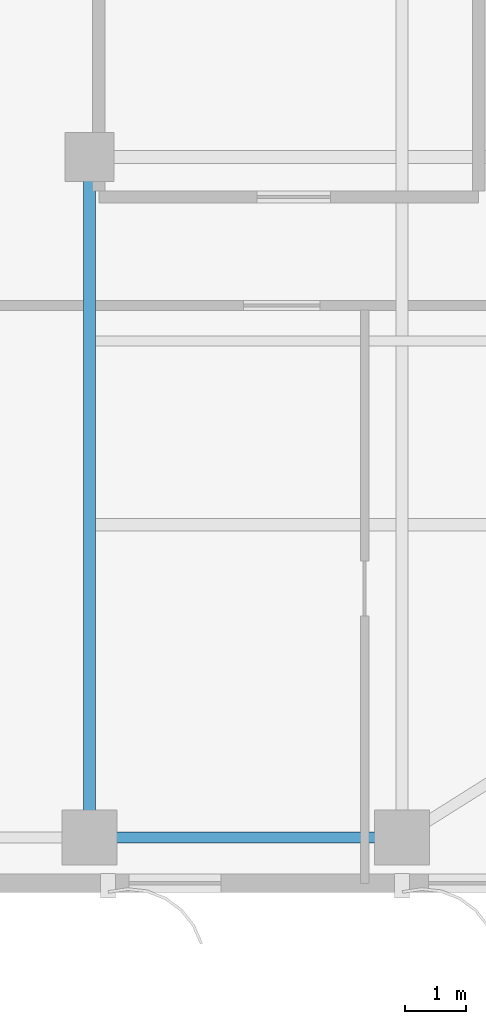
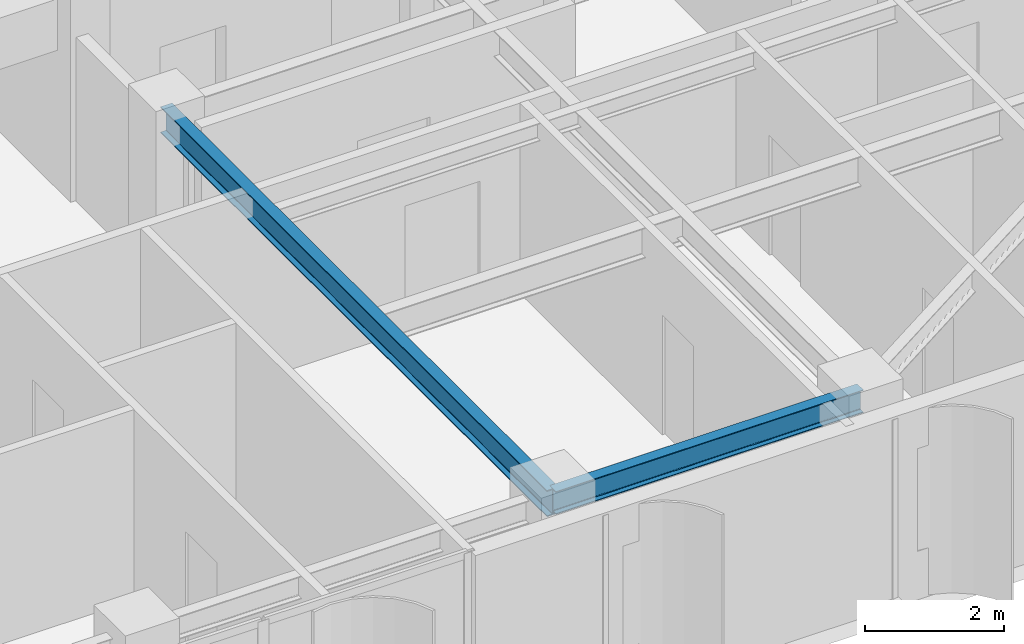
# One storey, part 3 of 22: 2 beams.
"""IFC4 building model written with IfcOpenShell, lengths in metres."""

from ifc_helpers import new_model, si_unit, direction, frame, origin, origin_2d, place, context, subcontext, project, spatial, i_section, extrude, source, transform, mapped, material, material_profile, profile_set, type_object, element, save


model = new_model("IFC4")

# Units and contexts
model_context = context("Model", 3, precision=1e-05, world=origin(), true_north=direction((0.0, 1.0)))
body_context = subcontext(model_context, "Body", "Model", "MODEL_VIEW")
ifc_project = project(units=[si_unit("LENGTHUNIT", "METRE"), si_unit("AREAUNIT", "SQUARE_METRE"), si_unit("VOLUMEUNIT", "CUBIC_METRE"), si_unit("PLANEANGLEUNIT", "RADIAN"), si_unit("MASSUNIT", "GRAM", prefix="KILO")], contexts=[model_context])

# Site, building, storey
site_placement = place(None, origin())
site = spatial("IfcSite", under=ifc_project, at=site_placement, CompositionType="ELEMENT")
building_placement = place(site_placement, origin())
building = spatial("IfcBuilding", under=site, at=building_placement, Name="Khoralis Quay Care Tower", CompositionType="ELEMENT")
storey_placement = place(building_placement, frame((0.0, 0.0, 180.89990234375)))
storey = spatial("IfcBuildingStorey", under=building, at=storey_placement, Name="L47", CompositionType="ELEMENT", Elevation=180.89990234375)

# Beams
ifc_material = material(Name="Steel S355", Category="steel")
ifc_material_profile_1 = material_profile(ifc_material, i_section(OverallWidth=0.179931640625, OverallDepth=0.39990234375, WebThickness=0.008544921875, FlangeThickness=0.013427734375, FilletRadius=0.02099609375, at=origin_2d()), Name="Steel S355")
ifc_profile_set_1 = profile_set([ifc_material_profile_1], Name="Steel S355")
beam_type_1 = type_object("IfcBeamType", Name="BM-IPE400", PredefinedType="SPANDREL", material=ifc_profile_set_1)
shared_shape_1 = source(origin(), body_context, "Body", "SweptSolid", [
    extrude(i_section(OverallWidth=0.179931640625, OverallDepth=0.39990234375, WebThickness=0.008544921875, FlangeThickness=0.013427734375, FilletRadius=0.02099609375, at=origin_2d()), origin(), (0.0, 0.0, 1.0), 5.10009765625),
])
beam_1_placement = place(storey_placement, frame((30.89990234375, 0.89990234375, 3.14013671875), z_axis=(1.0, 0.0, 0.0), x_axis=(0.0, 1.0, 0.0)))
element("IfcBeam", 1, at=beam_1_placement, inside=storey, type_object=beam_type_1, Name="BM-TSP-L47-04", PredefinedType="SPANDREL", context=body_context, shape_type="MappedRepresentation", body=[
    mapped(shared_shape_1, transform((0.0, 0.0, 0.0), scale=1.0)),
])
ifc_material_profile_2 = material_profile(ifc_material, i_section(OverallWidth=0.19189453125, OverallDepth=0.462890625, WebThickness=0.010498046875, FlangeThickness=0.017578125, FilletRadius=0.014892578125, at=origin_2d()), Name="Steel S355")
ifc_profile_set_2 = profile_set([ifc_material_profile_2], Name="Steel S355")
beam_type_2 = type_object("IfcBeamType", Name="BM-W460X89", PredefinedType="BEAM", material=ifc_profile_set_2)
shared_shape_2 = source(origin(), body_context, "Body", "SweptSolid", [
    extrude(i_section(OverallWidth=0.19189453125, OverallDepth=0.462890625, WebThickness=0.010498046875, FlangeThickness=0.017578125, FilletRadius=0.014892578125, at=origin_2d()), origin(), (0.0, 0.0, 1.0), 11.10009765625),
])
beam_2_placement = place(storey_placement, frame((30.89990234375, 0.89990234375, 3.108642578125), z_axis=(0.0, 1.0, 0.0), x_axis=(-1.0, 0.0, 0.0)))
element("IfcBeam", 2, at=beam_2_placement, inside=storey, type_object=beam_type_2, Name="BM-TGYS-L47-309", PredefinedType="BEAM", context=body_context, shape_type="MappedRepresentation", body=[
    mapped(shared_shape_2, transform((0.0, 0.0, 0.0), scale=1.0)),
])

save(model, "model.ifc")
